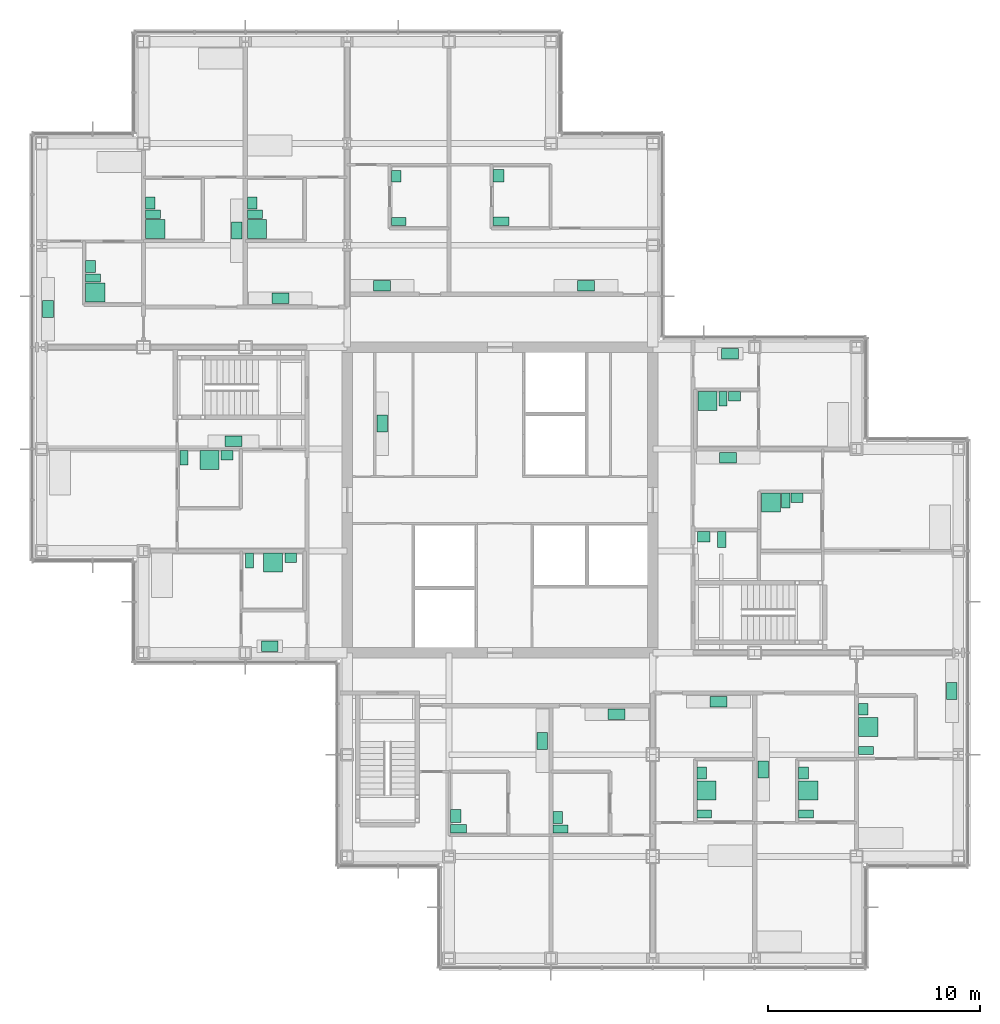
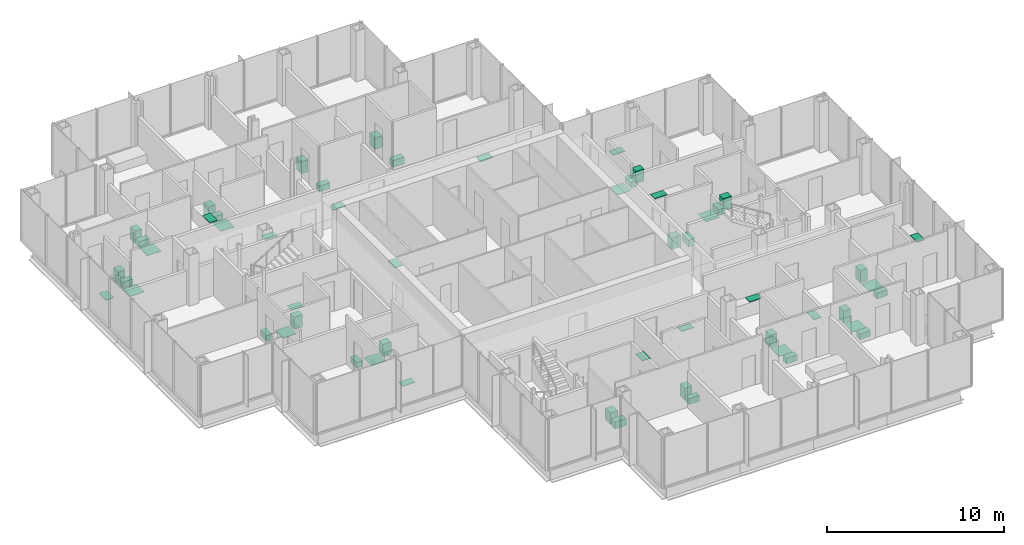
# One storey, part 18 of 19: 55 sanitary terminals.
"""IFC4 building model written with IfcOpenShell, lengths in metres."""

from ifc_helpers import new_model, si_unit, direction, frame, origin, origin_2d, place, context, subcontext, project, spatial, rectangle, extrude, material, type_object, element, save


model = new_model("IFC4")

# Units and contexts
model_context = context("Model", 3, precision=1e-05, world=origin(), true_north=direction((0.0, 1.0)))
body_context = subcontext(model_context, "Body", "Model", "MODEL_VIEW")
ifc_project = project(units=[si_unit("LENGTHUNIT", "METRE"), si_unit("AREAUNIT", "SQUARE_METRE"), si_unit("VOLUMEUNIT", "CUBIC_METRE"), si_unit("PLANEANGLEUNIT", "RADIAN"), si_unit("MASSUNIT", "GRAM", prefix="KILO")], contexts=[model_context])

# Site, building, storey
site_placement = place(None, origin())
site = spatial("IfcSite", under=ifc_project, at=site_placement, CompositionType="ELEMENT")
building_placement = place(site_placement, origin())
building = spatial("IfcBuilding", under=site, at=building_placement, Name="Kvirike Care Tower", CompositionType="ELEMENT")
storey_placement = place(building_placement, frame((0.0, 0.0, 108.5)))
storey = spatial("IfcBuildingStorey", under=building, at=storey_placement, Name="L29", CompositionType="ELEMENT", Elevation=108.5)

# Sanitary terminals
ifc_material_1 = material(Name="Vitreous china", Category="ceramic")
sanitary_terminal_type_1 = type_object("IfcSanitaryTerminalType", Name="ACCESSIBLE WASH BASIN 600 x 500", PredefinedType="WASHHANDBASIN", material=ifc_material_1)
for number, where, z_axis, x_axis, name in (
    (1, (19.511962890625, 21.110107421875, 0.02001953125), (0.0, 0.0, 1.0), (0.0, 1.0, 0.0), "Accessible wash basin L29-024"),
    (2, (21.527099609375, 51.27490234375, 0.02001953125), (0.0, 0.0, 1.0), (0.0, 1.0, 0.0), "Accessible wash basin L29-031"),
    (3, (31.199951171875, 34.27294921875, 0.02001953125), (0.0, 0.0, 1.0), (1.0, 0.0, 0.0), "Accessible wash basin L29-050"),
):
    element("IfcSanitaryTerminal", number, at=place(storey_placement, frame(where, z_axis=z_axis, x_axis=x_axis)), inside=storey, type_object=sanitary_terminal_type_1, Name=name, PredefinedType="WASHHANDBASIN", context=body_context, shape_type="SweptSolid", body=[
        extrude(rectangle(XDim=0.60009765625, YDim=0.5, at=origin_2d()), origin(), (0.0, 0.0, 1.0), 0.800048828125),
    ])
ifc_material_2 = material(Name="Vitreous china", Category="ceramic")
sanitary_terminal_type_2 = type_object("IfcSanitaryTerminalType", Name="ACCESSIBLE WC PAN 400 x 750", PredefinedType="TOILETPAN", material=ifc_material_2)
for number, where, z_axis, x_axis, name in (
    (4, (19.636962890625, 20.510009765625, 0.02001953125), (0.0, 0.0, 1.0), (0.0, 1.0, 0.0), "Accessible WC pan L29-024"),
    (5, (21.652099609375, 49.125, 0.02001953125), (0.0, 0.0, 1.0), (0.0, 1.0, 0.0), "Accessible WC pan L29-031"),
    (6, (32.050048828125, 34.14794921875, 0.02001953125), (0.0, 0.0, 1.0), (1.0, 0.0, 0.0), "Accessible WC pan L29-050"),
):
    element("IfcSanitaryTerminal", number, at=place(storey_placement, frame(where, z_axis=z_axis, x_axis=x_axis)), inside=storey, type_object=sanitary_terminal_type_2, Name=name, PredefinedType="TOILETPAN", context=body_context, shape_type="SweptSolid", body=[
        extrude(rectangle(XDim=0.39990234375, YDim=0.75, at=origin_2d()), origin(), (0.0, 0.0, 1.0), 0.47998046875),
    ])
ifc_material_3 = material(Name="Stainless steel", Category="steel")
sanitary_terminal_type_3 = type_object("IfcSanitaryTerminalType", Name="KITCHEN SINK 800 x 500", PredefinedType="SINK", material=ifc_material_3)
for number, where, z_axis, x_axis, name in (
    (7, (9.050048828125, 38.761962890625, 0.89990234375), (0.0, 0.0, 1.0), (-1.0, 0.0, 0.0), "Kitchen sink L29-006"),
    (8, (10.75, 29.10205078125, 0.89990234375), (0.0, 0.0, 1.0), (-1.0, 0.0, 0.0), "Kitchen sink L29-010"),
    (9, (11.25, 45.501953125, 0.89990234375), (0.0, 0.0, 1.0), (-1.0, 0.0, 0.0), "Kitchen sink L29-014"),
    (10, (9.197998046875, 48.68994140625, 0.89990234375), (0.0, 0.0, 1.0), (0.0, -1.0, 0.0), "Kitchen sink L29-017"),
    (11, (0.302001953125, 44.9970703125, 0.89990234375), (0.0, 0.0, 1.0), (0.0, 1.0, 0.0), "Kitchen sink L29-020"),
    (12, (23.597900390625, 24.64990234375, 0.89990234375), (0.0, 0.0, 1.0), (0.0, -1.0, 0.0), "Kitchen sink L29-025"),
    (13, (27.10009765625, 25.89794921875, 0.89990234375), (0.0, 0.0, 1.0), (1.0, 0.0, 0.0), "Kitchen sink L29-028"),
    (14, (25.64990234375, 46.10205078125, 0.89990234375), (0.0, 0.0, 1.0), (-1.0, 0.0, 0.0), "Kitchen sink L29-032"),
    (15, (16.050048828125, 46.10205078125, 0.89990234375), (0.0, 0.0, 1.0), (-1.0, 0.0, 0.0), "Kitchen sink L29-035"),
    (16, (31.89990234375, 26.498046875, 0.89990234375), (0.0, 0.0, 1.0), (1.0, 0.0, 0.0), "Kitchen sink L29-039"),
    (17, (34.001953125, 23.31005859375, 0.89990234375), (0.0, 0.0, 1.0), (0.0, 1.0, 0.0), "Kitchen sink L29-042"),
    (18, (42.89794921875, 27.0029296875, 0.89990234375), (0.0, 0.0, 1.0), (0.0, -1.0, 0.0), "Kitchen sink L29-045"),
    (19, (32.35009765625, 37.998046875, 0.89990234375), (0.0, 0.0, 1.0), (1.0, 0.0, 0.0), "Kitchen sink L29-052"),
    (20, (32.449951171875, 42.89794921875, 0.89990234375), (0.0, 0.0, 1.0), (1.0, 0.0, 0.0), "Kitchen sink L29-055"),
    (21, (16.052001953125, 39.60009765625, 0.89990234375), (0.0, 0.0, 1.0), (0.0, 1.0, 0.0), "Kitchen sink L29-062"),
):
    element("IfcSanitaryTerminal", number, at=place(storey_placement, frame(where, z_axis=z_axis, x_axis=x_axis)), inside=storey, type_object=sanitary_terminal_type_3, Name=name, PredefinedType="SINK", context=body_context, shape_type="SweptSolid", body=[
        extrude(rectangle(XDim=0.800048828125, YDim=0.5, at=origin_2d()), origin(), (0.0, 0.0, 1.0), 0.030029296875),
    ])
ifc_material_4 = material(Name="Stainless steel", Category="steel")
sanitary_terminal_type_4 = type_object("IfcSanitaryTerminalType", Name="LEVEL-ACCESS SHOWER 900 x 900", PredefinedType="SHOWER", material=ifc_material_4)
for number, where, z_axis, x_axis, name in (
    (22, (7.909912109375, 37.887939453125, 0.02001953125), (0.0, 0.0, 1.0), (1.0, 0.0, 0.0), "Level-access shower L29-005"),
    (23, (10.909912109375, 33.048095703125, 0.02001953125), (0.0, 0.0, 1.0), (1.0, 0.0, 0.0), "Level-access shower L29-009"),
    (24, (10.152099609375, 48.77490234375, 0.02001953125), (0.0, 0.0, 1.0), (0.0, 1.0, 0.0), "Level-access shower L29-013"),
    (25, (5.35205078125, 48.77490234375, 0.02001953125), (0.0, 0.0, 1.0), (0.0, 1.0, 0.0), "Level-access shower L29-016"),
    (26, (2.527099609375, 45.77490234375, 0.02001953125), (0.0, 0.0, 1.0), (0.0, 1.0, 0.0), "Level-access shower L29-019"),
    (27, (31.326904296875, 22.31005859375, 0.02001953125), (0.0, 0.0, 1.0), (0.0, 1.0, 0.0), "Level-access shower L29-038"),
    (28, (36.126953125, 22.31005859375, 0.02001953125), (0.0, 0.0, 1.0), (0.0, 1.0, 0.0), "Level-access shower L29-041"),
    (29, (38.951904296875, 25.31005859375, 0.02001953125), (0.0, 0.0, 1.0), (0.0, 1.0, 0.0), "Level-access shower L29-044"),
    (30, (34.375, 35.873046875, 0.02001953125), (0.0, 0.0, 1.0), (1.0, 0.0, 0.0), "Level-access shower L29-051"),
    (31, (31.375, 40.673095703125, 0.02001953125), (0.0, 0.0, 1.0), (1.0, 0.0, 0.0), "Level-access shower L29-054"),
):
    element("IfcSanitaryTerminal", number, at=place(storey_placement, frame(where, z_axis=z_axis, x_axis=x_axis)), inside=storey, type_object=sanitary_terminal_type_4, Name=name, PredefinedType="SHOWER", context=body_context, shape_type="SweptSolid", body=[
        extrude(rectangle(XDim=0.89990234375, YDim=0.89990234375, at=origin_2d()), origin(), (0.0, 0.0, 1.0), 0.02001953125),
    ])
ifc_material_5 = material(Name="Vitreous china", Category="ceramic")
sanitary_terminal_type_5 = type_object("IfcSanitaryTerminalType", Name="WASH BASIN 550 x 450", PredefinedType="WASHHANDBASIN", material=ifc_material_5)
for number, where, z_axis, x_axis, name in (
    (32, (8.735107421875, 38.113037109375, 0.02001953125), (0.0, 0.0, 1.0), (1.0, 0.0, 0.0), "Wash basin L29-005"),
    (33, (11.735107421875, 33.27294921875, 0.02001953125), (0.0, 0.0, 1.0), (1.0, 0.0, 0.0), "Wash basin L29-009"),
    (34, (9.927001953125, 50.0, 0.02001953125), (0.0, 0.0, 1.0), (0.0, 1.0, 0.0), "Wash basin L29-013"),
    (35, (5.126953125, 50.0, 0.02001953125), (0.0, 0.0, 1.0), (0.0, 1.0, 0.0), "Wash basin L29-016"),
    (36, (2.302001953125, 47.0, 0.02001953125), (0.0, 0.0, 1.0), (0.0, 1.0, 0.0), "Wash basin L29-019"),
    (37, (24.326904296875, 21.034912109375, 0.02001953125), (0.0, 0.0, 1.0), (0.0, 1.0, 0.0), "Wash basin L29-027"),
    (38, (16.701904296875, 51.25, 0.02001953125), (0.0, 0.0, 1.0), (0.0, 1.0, 0.0), "Wash basin L29-034"),
    (39, (31.10205078125, 23.135009765625, 0.02001953125), (0.0, 0.0, 1.0), (0.0, 1.0, 0.0), "Wash basin L29-038"),
    (40, (35.902099609375, 23.135009765625, 0.02001953125), (0.0, 0.0, 1.0), (0.0, 1.0, 0.0), "Wash basin L29-041"),
    (41, (38.72705078125, 26.135009765625, 0.02001953125), (0.0, 0.0, 1.0), (0.0, 1.0, 0.0), "Wash basin L29-044"),
    (42, (35.60009765625, 36.097900390625, 0.02001953125), (0.0, 0.0, 1.0), (1.0, 0.0, 0.0), "Wash basin L29-051"),
    (43, (32.64990234375, 40.89794921875, 0.02001953125), (0.0, 0.0, 1.0), (1.0, 0.0, 0.0), "Wash basin L29-054"),
):
    element("IfcSanitaryTerminal", number, at=place(storey_placement, frame(where, z_axis=z_axis, x_axis=x_axis)), inside=storey, type_object=sanitary_terminal_type_5, Name=name, PredefinedType="WASHHANDBASIN", context=body_context, shape_type="SweptSolid", body=[
        extrude(rectangle(XDim=0.550048828125, YDim=0.449951171875, at=origin_2d()), origin(), (0.0, 0.0, 1.0), 0.85009765625),
    ])
ifc_material_6 = material(Name="Vitreous china", Category="ceramic")
sanitary_terminal_type_6 = type_object("IfcSanitaryTerminalType", Name="WC PAN 380 x 700", PredefinedType="TOILETPAN", material=ifc_material_6)
for number, where, z_axis, x_axis, name in (
    (44, (6.699951171875, 37.988037109375, 0.02001953125), (0.0, 0.0, 1.0), (1.0, 0.0, 0.0), "WC pan L29-005"),
    (45, (9.800048828125, 33.14794921875, 0.02001953125), (0.0, 0.0, 1.0), (1.0, 0.0, 0.0), "WC pan L29-009"),
    (46, (10.052001953125, 49.465087890625, 0.02001953125), (0.0, 0.0, 1.0), (0.0, 1.0, 0.0), "WC pan L29-013"),
    (47, (5.251953125, 49.465087890625, 0.02001953125), (0.0, 0.0, 1.0), (0.0, 1.0, 0.0), "WC pan L29-016"),
    (48, (2.427001953125, 46.465087890625, 0.02001953125), (0.0, 0.0, 1.0), (0.0, 1.0, 0.0), "WC pan L29-019"),
    (49, (24.451904296875, 20.5, 0.02001953125), (0.0, 0.0, 1.0), (0.0, 1.0, 0.0), "WC pan L29-027"),
    (50, (16.826904296875, 49.114990234375, 0.02001953125), (0.0, 0.0, 1.0), (0.0, 1.0, 0.0), "WC pan L29-034"),
    (51, (31.22705078125, 21.199951171875, 0.02001953125), (0.0, 0.0, 1.0), (0.0, 1.0, 0.0), "WC pan L29-038"),
    (52, (36.027099609375, 21.199951171875, 0.02001953125), (0.0, 0.0, 1.0), (0.0, 1.0, 0.0), "WC pan L29-041"),
    (53, (38.85205078125, 24.199951171875, 0.02001953125), (0.0, 0.0, 1.0), (0.0, 1.0, 0.0), "WC pan L29-044"),
    (54, (35.06494140625, 35.972900390625, 0.02001953125), (0.0, 0.0, 1.0), (1.0, 0.0, 0.0), "WC pan L29-051"),
    (55, (32.114990234375, 40.77294921875, 0.02001953125), (0.0, 0.0, 1.0), (1.0, 0.0, 0.0), "WC pan L29-054"),
):
    element("IfcSanitaryTerminal", number, at=place(storey_placement, frame(where, z_axis=z_axis, x_axis=x_axis)), inside=storey, type_object=sanitary_terminal_type_6, Name=name, PredefinedType="TOILETPAN", context=body_context, shape_type="SweptSolid", body=[
        extrude(rectangle(XDim=0.3798828125, YDim=0.699951171875, at=origin_2d()), origin(), (0.0, 0.0, 1.0), 0.39990234375),
    ])

save(model, "model.ifc")
